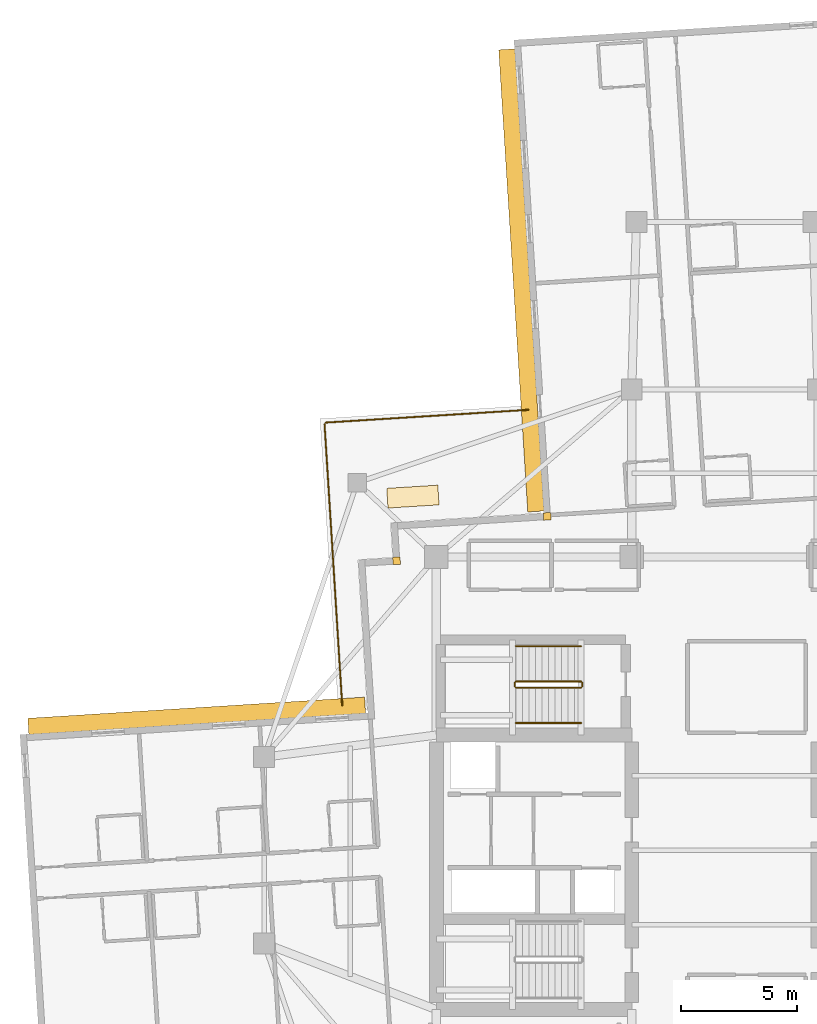
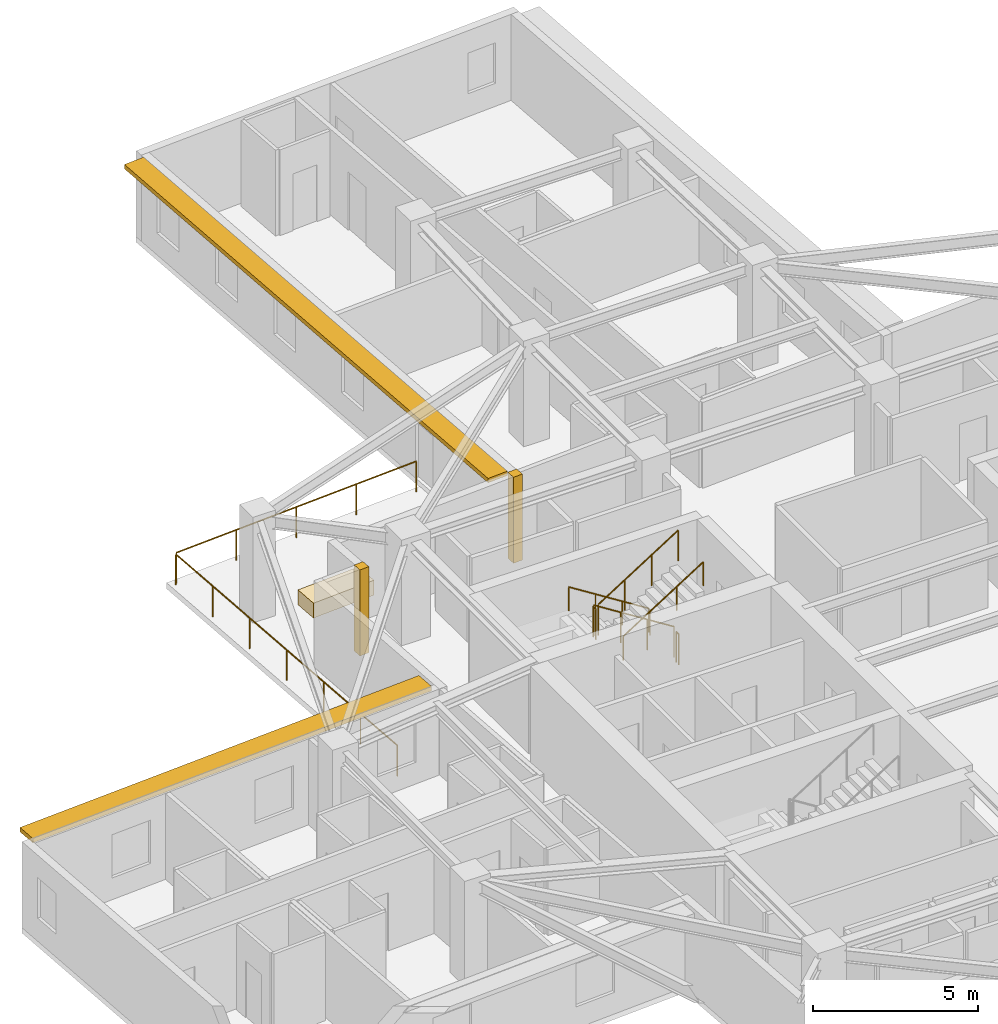
# One storey, part 12 of 13: 8 railings, 3 coverings, 2 shading devices.
"""IFC4 building model written with IfcOpenShell, lengths in metres."""

from ifc_helpers import new_model, si_unit, direction, frame, origin, origin_2d, place, context, subcontext, project, spatial, rectangle, circle, extrude, material, layer, layer_set, type_object, element, save


model = new_model("IFC4")

# Units and contexts
model_context = context("Model", 3, precision=1e-05, world=origin(), true_north=direction((0.0, 1.0)))
body_context = subcontext(model_context, "Body", "Model", "MODEL_VIEW")
ifc_project = project(units=[si_unit("LENGTHUNIT", "METRE"), si_unit("AREAUNIT", "SQUARE_METRE"), si_unit("VOLUMEUNIT", "CUBIC_METRE"), si_unit("PLANEANGLEUNIT", "RADIAN"), si_unit("MASSUNIT", "GRAM", prefix="KILO")], contexts=[model_context])

# Site, building, storey
site_placement = place(None, origin())
site = spatial("IfcSite", under=ifc_project, at=site_placement, CompositionType="ELEMENT")
building_placement = place(site_placement, origin())
building = spatial("IfcBuilding", under=site, at=building_placement, Name="Qingluan Cross Belvedere", CompositionType="ELEMENT")
storey_placement = place(building_placement, frame((0.0, 0.0, 201.300048828125)))
storey = spatial("IfcBuildingStorey", under=building, at=storey_placement, Name="L50", CompositionType="ELEMENT", Elevation=201.300048828125)

# Coverings
ifc_material_1 = material(Name="Precast concrete C45", Category="concrete")
ifc_layer_1 = layer(ifc_material_1, 0.1201171875, Name="ConcreteSpandrelCladding_120")
ifc_layer_set_1 = layer_set([ifc_layer_1], Name="Precast concrete C45")
covering_type_1 = type_object("IfcCoveringType", Name="ConcreteSpandrelCladding_120", PredefinedType="CLADDING", material=ifc_layer_set_1)
for number, where, z_axis, x_axis, name in (
    (1, (-14.10888671875, 12.438720703125, 0.0), (0.0, 0.0, 1.0), (0.998026728428, 0.062790519529, 0.0), "Corner closure L50-NW1"),
    (2, (-7.635986328125, 14.348876953125, 0.0), (0.0, 0.0, 1.0), (0.998026728428, 0.062790519529, 0.0), "Corner closure L50-NW2"),
):
    element("IfcCovering", number, at=place(storey_placement, frame(where, z_axis=z_axis, x_axis=x_axis)), inside=storey, type_object=covering_type_1, Name=name, PredefinedType="CLADDING", context=body_context, shape_type="SweptSolid", body=[
        extrude(rectangle(XDim=0.320068359375, YDim=0.320068359375, at=origin_2d()), origin(), (0.0, 0.0, 1.0), 3.179931640625),
    ])

# Shading devices
ifc_material_2 = material(Name="Precast concrete C45", Category="concrete")
ifc_layer_2 = layer(ifc_material_2, 0.139892578125, Name="ConcreteSunshadeBand_700")
ifc_layer_set_2 = layer_set([ifc_layer_2], Name="Precast concrete C45")
shading_device_type = type_object("IfcShadingDeviceType", Name="ConcreteSunshadeBand_700", PredefinedType="USERDEFINED", material=ifc_layer_set_2)
shading_device_1_placement = place(storey_placement, frame((-8.744873046875, 24.4892578125, 3.0), z_axis=(0.0, 0.0, 1.0), x_axis=(0.062791158819, -0.998026688207, 0.0)))
element("IfcShadingDevice", 3, at=shading_device_1_placement, inside=storey, type_object=shading_device_type, Name="Concrete SUNSHADE L50-NB", ObjectType="SUNSHADE", PredefinedType="USERDEFINED", context=body_context, shape_type="SweptSolid", body=[
    extrude(rectangle(XDim=19.89990234375, YDim=0.699951171875, at=origin_2d()), origin(), (0.0, 0.0, 1.0), 0.159912109375),
])
shading_device_2_placement = place(storey_placement, frame((-22.697509765625, 5.776123046875, 3.0), z_axis=(0.0, 0.0, 1.0), x_axis=(-0.998026818306, -0.062789090939, 0.0)))
element("IfcShadingDevice", 4, at=shading_device_2_placement, inside=storey, type_object=shading_device_type, Name="Concrete SUNSHADE L50-WA", ObjectType="SUNSHADE", PredefinedType="USERDEFINED", context=body_context, shape_type="SweptSolid", body=[
    extrude(rectangle(XDim=14.5, YDim=0.699951171875, at=origin_2d()), origin(), (0.0, 0.0, 1.0), 0.159912109375),
])

# Railings
ifc_material_3 = material(Name="Brushed stainless steel tubular handrail", Category="steel")
railing_type_1 = type_object("IfcRailingType", Name="StairPitchHandrail_900", PredefinedType="HANDRAIL", material=ifc_material_3)
railing_1_placement = place(storey_placement, frame((-6.179931640625, 8.77001953125, 0.17724609375)))
element("IfcRailing", 5, at=railing_1_placement, inside=storey, type_object=railing_type_1, Name="L50 ST3 stair handrail 1", PredefinedType="HANDRAIL", context=body_context, shape_type="SweptSolid", body=[
    extrude(circle(Radius=0.02392578125, at=origin_2d()), frame((0.0, 0.0, 0.8759765625), z_axis=(-0.844908973607, 0.0, 0.534910110503), x_axis=(0.0, -1.0, 0.0)), (0.0, 0.0, 1.0), 3.31396484375),
    extrude(circle(Radius=0.02099609375, at=origin_2d()), origin(), (0.0, 0.0, 1.0), 0.851806640625),
    extrude(circle(Radius=0.02099609375, at=origin_2d()), frame((-0.933349609375, 0.0, 0.5908203125)), (0.0, 0.0, 1.0), 0.851806640625),
    extrude(circle(Radius=0.02099609375, at=origin_2d()), frame((-1.86669921875, 0.0, 1.181884765625)), (0.0, 0.0, 1.0), 0.851806640625),
    extrude(circle(Radius=0.02099609375, at=origin_2d()), frame((-2.800048828125, 0.0, 1.772705078125)), (0.0, 0.0, 1.0), 0.851806640625),
])
railing_2_placement = place(storey_placement, frame((-8.97998046875, 5.469970703125, 2.127197265625)))
element("IfcRailing", 6, at=railing_2_placement, inside=storey, type_object=railing_type_1, Name="L50 ST3 stair handrail 2", PredefinedType="HANDRAIL", context=body_context, shape_type="SweptSolid", body=[
    extrude(circle(Radius=0.02392578125, at=origin_2d()), frame((0.0, 0.0, 0.8759765625), z_axis=(0.844908973607, 0.0, 0.534910110503), x_axis=(0.0, 1.0, 0.0)), (0.0, 0.0, 1.0), 3.31396484375),
    extrude(circle(Radius=0.02099609375, at=origin_2d()), origin(), (0.0, 0.0, 1.0), 0.851806640625),
    extrude(circle(Radius=0.02099609375, at=origin_2d()), frame((0.933349609375, 0.0, 0.5908203125)), (0.0, 0.0, 1.0), 0.851806640625),
    extrude(circle(Radius=0.02099609375, at=origin_2d()), frame((1.86669921875, 0.0, 1.181884765625)), (0.0, 0.0, 1.0), 0.851806640625),
    extrude(circle(Radius=0.02099609375, at=origin_2d()), frame((2.800048828125, 0.0, 1.772705078125)), (0.0, 0.0, 1.0), 0.851806640625),
])
ifc_material_4 = material(Name="Painted steel stair well guard", Category="steel")
railing_type_2 = type_object("IfcRailingType", Name="StairWellGuard_1150", PredefinedType="BALUSTRADE", material=ifc_material_4)
railing_3_placement = place(storey_placement, frame((-6.179931640625, 7.25, 0.17724609375)))
element("IfcRailing", 7, at=railing_3_placement, inside=storey, type_object=railing_type_2, Name="L50 ST3 stair guard 1", PredefinedType="BALUSTRADE", context=body_context, shape_type="SweptSolid", body=[
    extrude(circle(Radius=0.02392578125, at=origin_2d()), frame((0.0, 0.0, 1.1259765625), z_axis=(-0.844908973607, 0.0, 0.534910110503), x_axis=(0.0, -1.0, 0.0)), (0.0, 0.0, 1.0), 3.31396484375),
    extrude(circle(Radius=0.02099609375, at=origin_2d()), origin(), (0.0, 0.0, 1.0), 1.101806640625),
    extrude(circle(Radius=0.02099609375, at=origin_2d()), frame((-0.933349609375, 0.0, 0.5908203125)), (0.0, 0.0, 1.0), 1.101806640625),
    extrude(circle(Radius=0.02099609375, at=origin_2d()), frame((-1.86669921875, 0.0, 1.181884765625)), (0.0, 0.0, 1.0), 1.101806640625),
    extrude(circle(Radius=0.02099609375, at=origin_2d()), frame((-2.800048828125, 0.0, 1.772705078125)), (0.0, 0.0, 1.0), 1.101806640625),
])
railing_4_placement = place(storey_placement, frame((-9.030029296875, 7.199951171875, 1.949951171875)))
element("IfcRailing", 8, at=railing_4_placement, inside=storey, type_object=railing_type_2, Name="L50 ST3 stair guard 2", PredefinedType="BALUSTRADE", context=body_context, shape_type="SweptSolid", body=[
    extrude(circle(Radius=0.02392578125, at=origin_2d()), frame((0.0, 0.0, 1.1259765625), z_axis=(0.0, -1.0, 0.0), x_axis=(1.0, 0.0, 0.0)), (0.0, 0.0, 1.0), 0.159912109375),
    extrude(circle(Radius=0.02099609375, at=origin_2d()), origin(), (0.0, 0.0, 1.0), 1.101806640625),
    extrude(circle(Radius=0.02099609375, at=origin_2d()), frame((0.0, -0.159912109375, 0.0)), (0.0, 0.0, 1.0), 1.101806640625),
])
railing_5_placement = place(storey_placement, frame((-8.97998046875, 6.989990234375, 2.127197265625)))
element("IfcRailing", 9, at=railing_5_placement, inside=storey, type_object=railing_type_2, Name="L50 ST3 stair guard 3", PredefinedType="BALUSTRADE", context=body_context, shape_type="SweptSolid", body=[
    extrude(circle(Radius=0.02392578125, at=origin_2d()), frame((0.0, 0.0, 1.1259765625), z_axis=(0.844908973607, 0.0, 0.534910110503), x_axis=(0.0, 1.0, 0.0)), (0.0, 0.0, 1.0), 3.31396484375),
    extrude(circle(Radius=0.02099609375, at=origin_2d()), origin(), (0.0, 0.0, 1.0), 1.101806640625),
    extrude(circle(Radius=0.02099609375, at=origin_2d()), frame((0.933349609375, 0.0, 0.5908203125)), (0.0, 0.0, 1.0), 1.101806640625),
    extrude(circle(Radius=0.02099609375, at=origin_2d()), frame((1.86669921875, 0.0, 1.181884765625)), (0.0, 0.0, 1.0), 1.101806640625),
    extrude(circle(Radius=0.02099609375, at=origin_2d()), frame((2.800048828125, 0.0, 1.772705078125)), (0.0, 0.0, 1.0), 1.101806640625),
])
railing_6_placement = place(storey_placement, frame((-6.1298828125, 7.199951171875, 0.0)))
element("IfcRailing", 10, at=railing_6_placement, inside=storey, type_object=railing_type_2, Name="L50 ST3 stair guard 4", PredefinedType="BALUSTRADE", context=body_context, shape_type="SweptSolid", body=[
    extrude(circle(Radius=0.02392578125, at=origin_2d()), frame((0.0, 0.0, 1.1259765625), z_axis=(0.0, -1.0, 0.0), x_axis=(1.0, 0.0, 0.0)), (0.0, 0.0, 1.0), 0.159912109375),
    extrude(circle(Radius=0.02099609375, at=origin_2d()), origin(), (0.0, 0.0, 1.0), 1.101806640625),
    extrude(circle(Radius=0.02099609375, at=origin_2d()), frame((0.0, -0.159912109375, 0.0)), (0.0, 0.0, 1.0), 1.101806640625),
])
ifc_material_5 = material(Name="Laminated glass and stainless steel balustrade", Category="steel")
railing_type_3 = type_object("IfcRailingType", Name="TerraceGuardBalustrade_1150", PredefinedType="BALUSTRADE", material=ifc_material_5)
railing_7_placement = place(storey_placement, frame((-16.443115234375, 6.2197265625, 0.0)))
element("IfcRailing", 11, at=railing_7_placement, inside=storey, type_object=railing_type_3, Name="Terrace guard L50-1", PredefinedType="BALUSTRADE", context=body_context, shape_type="SweptSolid", body=[
    extrude(circle(Radius=0.02392578125, at=origin_2d()), frame((0.0, 0.0, 1.1259765625), z_axis=(-0.062787106563, 0.998026943148, 0.0), x_axis=(-0.998026943148, -0.062787106563, 0.0)), (0.0, 0.0, 1.0), 12.1201171875),
    extrude(circle(Radius=0.02099609375, at=origin_2d()), origin(), (0.0, 0.0, 1.0), 1.101806640625),
    extrude(circle(Radius=0.02099609375, at=origin_2d()), frame((-0.126953125, 2.01611328125, 0.0)), (0.0, 0.0, 1.0), 1.101806640625),
    extrude(circle(Radius=0.02099609375, at=origin_2d()), frame((-0.253662109375, 4.031982421875, 0.0)), (0.0, 0.0, 1.0), 1.101806640625),
    extrude(circle(Radius=0.02099609375, at=origin_2d()), frame((-0.38037109375, 6.048095703125, 0.0)), (0.0, 0.0, 1.0), 1.101806640625),
    extrude(circle(Radius=0.02099609375, at=origin_2d()), frame((-0.50732421875, 8.064208984375, 0.0)), (0.0, 0.0, 1.0), 1.101806640625),
    extrude(circle(Radius=0.02099609375, at=origin_2d()), frame((-0.63427734375, 10.080078125, 0.0)), (0.0, 0.0, 1.0), 1.101806640625),
    extrude(circle(Radius=0.02099609375, at=origin_2d()), frame((-0.760986328125, 12.09619140625, 0.0)), (0.0, 0.0, 1.0), 1.101806640625),
])
railing_8_placement = place(storey_placement, frame((-17.14794921875, 18.37939453125, 0.0)))
element("IfcRailing", 12, at=railing_8_placement, inside=storey, type_object=railing_type_3, Name="Terrace guard L50-2", PredefinedType="BALUSTRADE", context=body_context, shape_type="SweptSolid", body=[
    extrude(circle(Radius=0.02392578125, at=origin_2d()), frame((0.0, 0.0, 1.1259765625), z_axis=(0.998026235633, 0.062798351797, 0.0), x_axis=(-0.062798351797, 0.998026235633, 0.0)), (0.0, 0.0, 1.0), 8.719970703125),
    extrude(circle(Radius=0.02099609375, at=origin_2d()), origin(), (0.0, 0.0, 1.0), 1.101806640625),
    extrude(circle(Radius=0.02099609375, at=origin_2d()), frame((2.17578125, 0.136962890625, 0.0)), (0.0, 0.0, 1.0), 1.101806640625),
    extrude(circle(Radius=0.02099609375, at=origin_2d()), frame((4.3515625, 0.27392578125, 0.0)), (0.0, 0.0, 1.0), 1.101806640625),
    extrude(circle(Radius=0.02099609375, at=origin_2d()), frame((6.527099609375, 0.41064453125, 0.0)), (0.0, 0.0, 1.0), 1.101806640625),
    extrude(circle(Radius=0.02099609375, at=origin_2d()), frame((8.702880859375, 0.547607421875, 0.0)), (0.0, 0.0, 1.0), 1.101806640625),
])

# Covering
ifc_material_6 = material(Name="Precast concrete C40", Category="concrete")
ifc_layer_3 = layer(ifc_material_6, 0.550048828125, Name="TerracePlanterBox")
ifc_layer_set_3 = layer_set([ifc_layer_3], Name="Precast concrete C40")
covering_type_2 = type_object("IfcCoveringType", Name="TerracePlanterBox", PredefinedType="USERDEFINED", material=ifc_layer_set_3)
covering_placement = place(storey_placement, frame((-13.406005859375, 15.197998046875, 0.0), z_axis=(0.0, 0.0, 1.0), x_axis=(0.998026728428, 0.062790519529, 0.0)))
element("IfcCovering", 13, at=covering_placement, inside=storey, type_object=covering_type_2, Name="Spiralling winter-garden planter L50", ObjectType="PLANTER", PredefinedType="USERDEFINED", context=body_context, shape_type="SweptSolid", body=[
    extrude(rectangle(XDim=2.199951171875, YDim=0.85009765625, at=origin_2d()), origin(), (0.0, 0.0, 1.0), 0.550048828125),
])

save(model, "model.ifc")
